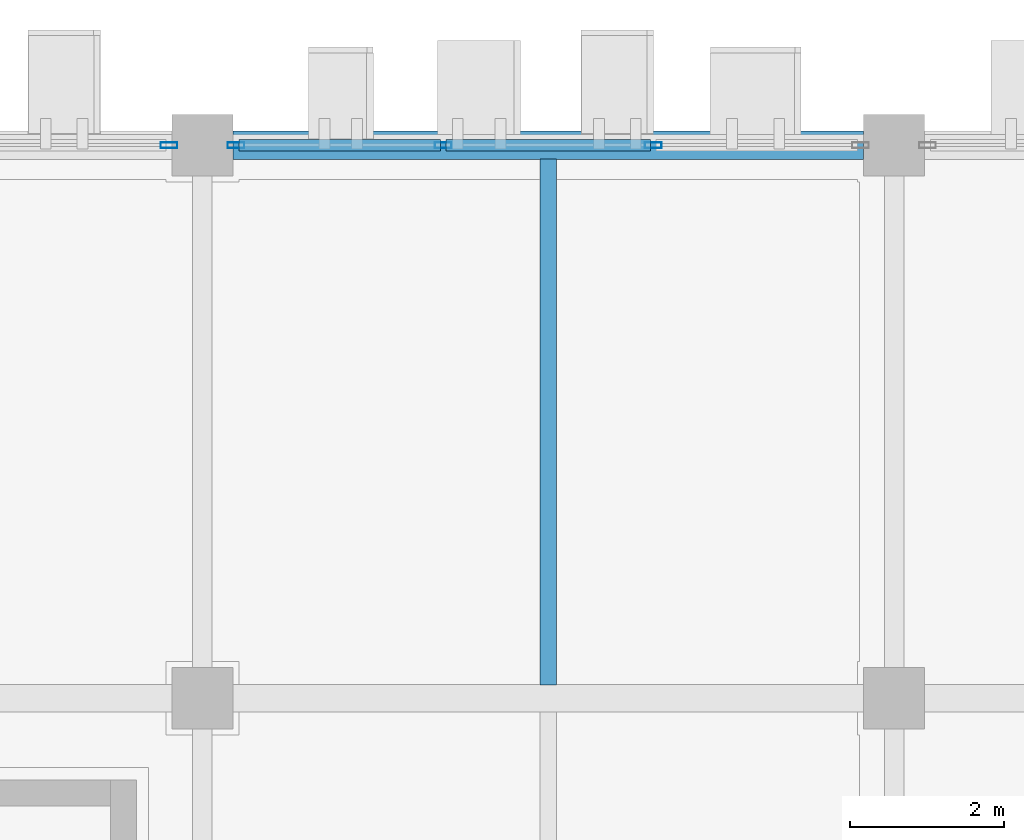
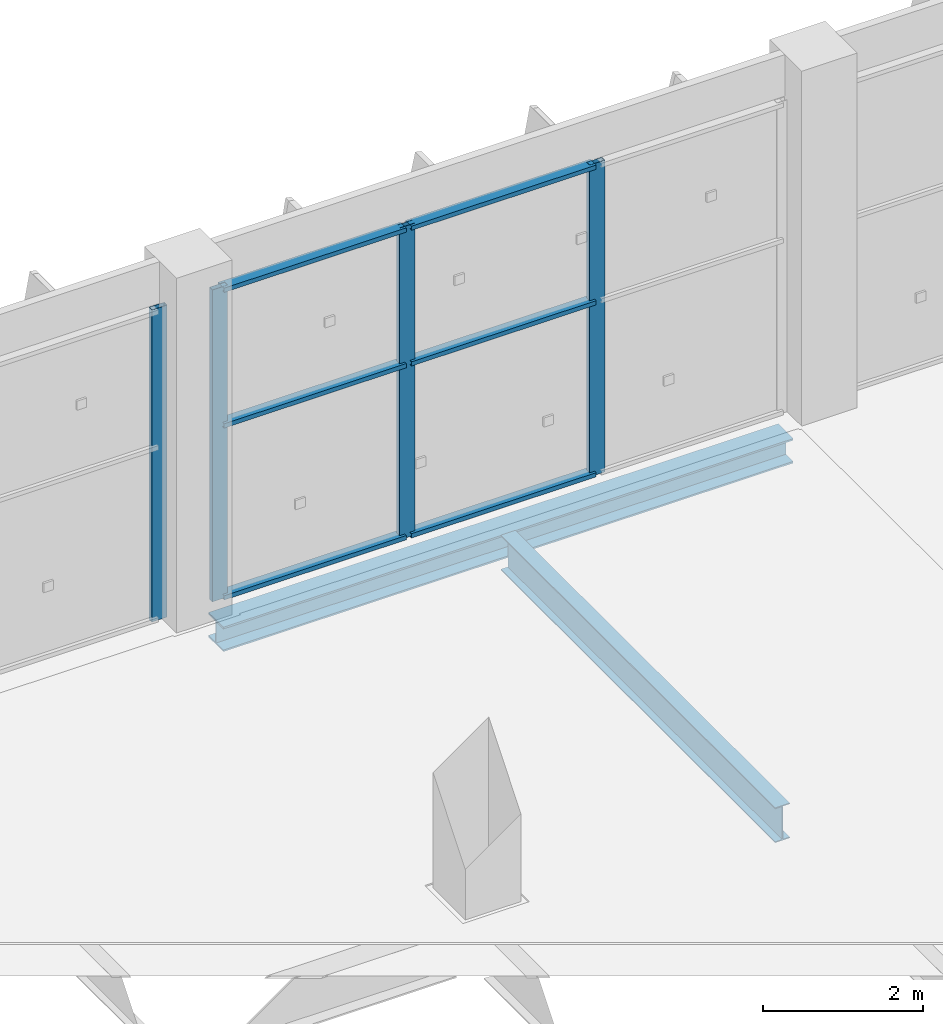
# One storey, part 38 of 137: 10 members, 2 beams, 2 elements without a shape of their own.
"""IFC4 building model written with IfcOpenShell, lengths in metres."""

from ifc_helpers import new_model, si_unit, direction, frame, origin, origin_2d, place, context, subcontext, project, spatial, hollow_rectangle, i_section, extrude, material, layer, layer_set, material_profile, profile_set, type_object, element, aggregate, save


model = new_model("IFC4")

# Units and contexts
model_context = context("Model", 3, precision=1e-05, world=origin(), true_north=direction((0.0, 1.0)))
body_context = subcontext(model_context, "Body", "Model", "MODEL_VIEW")
ifc_project = project(units=[si_unit("LENGTHUNIT", "METRE"), si_unit("AREAUNIT", "SQUARE_METRE"), si_unit("VOLUMEUNIT", "CUBIC_METRE"), si_unit("PLANEANGLEUNIT", "RADIAN"), si_unit("MASSUNIT", "GRAM", prefix="KILO")], contexts=[model_context])

# Site, building, storey
site_placement = place(None, origin())
site = spatial("IfcSite", under=ifc_project, at=site_placement, CompositionType="ELEMENT")
building_placement = place(site_placement, origin())
building = spatial("IfcBuilding", under=site, at=building_placement, Name="Celestram Park Convention Centre", CompositionType="ELEMENT")
storey_placement = place(building_placement, origin())
storey = spatial("IfcBuildingStorey", under=building, at=storey_placement, Name="L00", CompositionType="ELEMENT", Elevation=0.0)

# Curtain wall, member
ifc_material_1 = material(Name="Anodised Aluminium Alloy 6063-T6", Category="aluminium")
ifc_layer = layer(ifc_material_1, 0.179931640625)
ifc_layer_set = layer_set([ifc_layer], Name="Anodised Aluminium Alloy 6063-T6")
curtain_wall_type = type_object("IfcCurtainWallType", Name="ARC-CW-820X475", PredefinedType="NOTDEFINED", material=ifc_layer_set)
curtain_wall_1_placement = place(storey_placement, origin())
curtain_wall_1 = element("IfcCurtainWall", 1, at=curtain_wall_1_placement, inside=storey, type_object=curtain_wall_type, Name="Unitised curtain wall CU-L00-018", PredefinedType="NOTDEFINED")
ifc_material_profile_1 = material_profile(ifc_material_1, hollow_rectangle(XDim=0.074951171875, YDim=0.219970703125, WallThickness=0.00390625, at=origin_2d()), Name="ALU75X220X4")
ifc_profile_set_1 = profile_set([ifc_material_profile_1], Name="Anodised Aluminium Alloy 6063-T6")
member_type_1 = type_object("IfcMemberType", Name="ARC-CWM-180", PredefinedType="MULLION", material=ifc_profile_set_1)
member_1_placement = place(storey_placement, frame((152.564453125, 36.0, 0.0), z_axis=(0.0, 0.0, 1.0), x_axis=(0.0, 1.0, 0.0)))
member_1 = element("IfcMember", 2, at=member_1_placement, type_object=member_type_1, Name="CW-82X47 mullion 4", PredefinedType="MULLION", context=body_context, shape_type="SweptSolid", body=[
    extrude(hollow_rectangle(XDim=0.074951171875, YDim=0.219970703125, WallThickness=0.00390625, at=origin_2d()), origin(), (0.0, 0.0, 1.0), 4.7470703125),
])
aggregate(curtain_wall_1, [member_1])

# Curtain wall, members
curtain_wall_2_placement = place(storey_placement, origin())
curtain_wall_2 = element("IfcCurtainWall", 3, at=curtain_wall_2_placement, inside=storey, type_object=curtain_wall_type, Name="Unitised curtain wall CU-L00-019", PredefinedType="NOTDEFINED")
member_2_placement = place(storey_placement, frame((153.435546875, 36.0, 0.0), z_axis=(0.0, 0.0, 1.0), x_axis=(0.0, 1.0, 0.0)))
member_2 = element("IfcMember", 4, at=member_2_placement, type_object=member_type_1, Name="CW-82X47 mullion 1", PredefinedType="MULLION", context=body_context, shape_type="SweptSolid", body=[
    extrude(hollow_rectangle(XDim=0.074951171875, YDim=0.219970703125, WallThickness=0.00390625, at=origin_2d()), origin(), (0.0, 0.0, 1.0), 4.7470703125),
])
member_3_placement = place(storey_placement, frame((156.132568359375, 36.0, 0.0), z_axis=(0.0, 0.0, 1.0), x_axis=(0.0, 1.0, 0.0)))
member_3 = element("IfcMember", 5, at=member_3_placement, type_object=member_type_1, Name="CW-82X47 mullion 2", PredefinedType="MULLION", context=body_context, shape_type="SweptSolid", body=[
    extrude(hollow_rectangle(XDim=0.074951171875, YDim=0.219970703125, WallThickness=0.00390625, at=origin_2d()), origin(), (0.0, 0.0, 1.0), 4.7470703125),
])
member_4_placement = place(storey_placement, frame((158.867431640625, 36.0, 0.0), z_axis=(0.0, 0.0, 1.0), x_axis=(0.0, 1.0, 0.0)))
member_4 = element("IfcMember", 6, at=member_4_placement, type_object=member_type_1, Name="CW-82X47 mullion 3", PredefinedType="MULLION", context=body_context, shape_type="SweptSolid", body=[
    extrude(hollow_rectangle(XDim=0.074951171875, YDim=0.219970703125, WallThickness=0.00390625, at=origin_2d()), origin(), (0.0, 0.0, 1.0), 4.7470703125),
])
ifc_material_profile_2 = material_profile(ifc_material_1, hollow_rectangle(XDim=0.14990234375, YDim=0.06494140625, WallThickness=0.0029296875, at=origin_2d()), Name="ALU150X65X3")
ifc_profile_set_2 = profile_set([ifc_material_profile_2], Name="Anodised Aluminium Alloy 6063-T6")
member_type_2 = type_object("IfcMemberType", Name="ARC-CWT-150", PredefinedType="USERDEFINED", material=ifc_profile_set_2)
member_5_placement = place(storey_placement, frame((153.472900390625, 36.0, 0.032470703125), z_axis=(1.0, 0.0, 0.0), x_axis=(0.0, 1.0, 0.0)))
member_5 = element("IfcMember", 7, at=member_5_placement, type_object=member_type_2, Name="CW-82X47 transom 1.1", ObjectType="TRANSOM", PredefinedType="USERDEFINED", context=body_context, shape_type="SweptSolid", body=[
    extrude(hollow_rectangle(XDim=0.14990234375, YDim=0.06494140625, WallThickness=0.0029296875, at=origin_2d()), origin(), (0.0, 0.0, 1.0), 2.622314453125),
])
member_6_placement = place(storey_placement, frame((153.472900390625, 36.0, 2.64990234375), z_axis=(1.0, 0.0, 0.0), x_axis=(0.0, 1.0, 0.0)))
member_6 = element("IfcMember", 8, at=member_6_placement, type_object=member_type_2, Name="CW-82X47 transom 1.2", ObjectType="TRANSOM", PredefinedType="USERDEFINED", context=body_context, shape_type="SweptSolid", body=[
    extrude(hollow_rectangle(XDim=0.14990234375, YDim=0.06494140625, WallThickness=0.0029296875, at=origin_2d()), origin(), (0.0, 0.0, 1.0), 2.622314453125),
])
member_7_placement = place(storey_placement, frame((153.472900390625, 36.0, 4.714599609375), z_axis=(1.0, 0.0, 0.0), x_axis=(0.0, 1.0, 0.0)))
member_7 = element("IfcMember", 9, at=member_7_placement, type_object=member_type_2, Name="CW-82X47 transom 1.3", ObjectType="TRANSOM", PredefinedType="USERDEFINED", context=body_context, shape_type="SweptSolid", body=[
    extrude(hollow_rectangle(XDim=0.14990234375, YDim=0.06494140625, WallThickness=0.0029296875, at=origin_2d()), origin(), (0.0, 0.0, 1.0), 2.622314453125),
])
member_8_placement = place(storey_placement, frame((156.170166015625, 36.0, 0.032470703125), z_axis=(1.0, 0.0, 0.0), x_axis=(0.0, 1.0, 0.0)))
member_8 = element("IfcMember", 10, at=member_8_placement, type_object=member_type_2, Name="CW-82X47 transom 2.1", ObjectType="TRANSOM", PredefinedType="USERDEFINED", context=body_context, shape_type="SweptSolid", body=[
    extrude(hollow_rectangle(XDim=0.14990234375, YDim=0.06494140625, WallThickness=0.0029296875, at=origin_2d()), origin(), (0.0, 0.0, 1.0), 2.65966796875),
])
member_9_placement = place(storey_placement, frame((156.170166015625, 36.0, 2.64990234375), z_axis=(1.0, 0.0, 0.0), x_axis=(0.0, 1.0, 0.0)))
member_9 = element("IfcMember", 11, at=member_9_placement, type_object=member_type_2, Name="CW-82X47 transom 2.2", ObjectType="TRANSOM", PredefinedType="USERDEFINED", context=body_context, shape_type="SweptSolid", body=[
    extrude(hollow_rectangle(XDim=0.14990234375, YDim=0.06494140625, WallThickness=0.0029296875, at=origin_2d()), origin(), (0.0, 0.0, 1.0), 2.65966796875),
])
member_10_placement = place(storey_placement, frame((156.170166015625, 36.0, 4.714599609375), z_axis=(1.0, 0.0, 0.0), x_axis=(0.0, 1.0, 0.0)))
member_10 = element("IfcMember", 12, at=member_10_placement, type_object=member_type_2, Name="CW-82X47 transom 2.3", ObjectType="TRANSOM", PredefinedType="USERDEFINED", context=body_context, shape_type="SweptSolid", body=[
    extrude(hollow_rectangle(XDim=0.14990234375, YDim=0.06494140625, WallThickness=0.0029296875, at=origin_2d()), origin(), (0.0, 0.0, 1.0), 2.65966796875),
])
aggregate(curtain_wall_2, [member_2, member_3, member_4, member_5, member_6, member_7, member_8, member_9, member_10])

# Beams
ifc_material_2 = material(Name="Steel ASTM A992 Grade 50", Category="steel")
ifc_material_profile_3 = material_profile(ifc_material_2, i_section(OverallWidth=0.2099609375, OverallDepth=0.532958984375, WebThickness=0.01025390625, FlangeThickness=0.015625, at=origin_2d()), Name="W21X62")
ifc_profile_set_3 = profile_set([ifc_material_profile_3], Name="Steel ASTM A992 Grade 50")
beam_type_1 = type_object("IfcBeamType", Name="STR-JST-W21X62", PredefinedType="JOIST", material=ifc_profile_set_3)
beam_1_placement = place(storey_placement, frame((157.5, 28.97412109375, -0.58642578125), z_axis=(0.0, 1.0, 0.0), x_axis=(-1.0, 0.0, 0.0)))
element("IfcBeam", 13, at=beam_1_placement, inside=storey, type_object=beam_type_1, Name="Secondary composite joist BG-L00-1176", PredefinedType="JOIST", context=body_context, shape_type="SweptSolid", body=[
    extrude(i_section(OverallWidth=0.2099609375, OverallDepth=0.532958984375, WebThickness=0.01025390625, FlangeThickness=0.015625, at=origin_2d()), origin(), (0.0, 0.0, 1.0), 6.843994140625),
])
ifc_material_profile_4 = material_profile(ifc_material_2, i_section(OverallWidth=0.373046875, OverallDepth=0.373046875, WebThickness=0.016357421875, FlangeThickness=0.026123046875, at=origin_2d()), Name="W14X132")
ifc_profile_set_4 = profile_set([ifc_material_profile_4], Name="Steel ASTM A992 Grade 50")
beam_type_2 = type_object("IfcBeamType", Name="STR-SPN-W14X132", PredefinedType="SPANDREL", material=ifc_profile_set_4)
beam_2_placement = place(storey_placement, frame((153.39794921875, 36.0, -0.506591796875), z_axis=(1.0, 0.0, 0.0), x_axis=(0.0, 1.0, 0.0)))
element("IfcBeam", 14, at=beam_2_placement, inside=storey, type_object=beam_type_2, Name="Primary X-girder BG-L00-0701", PredefinedType="SPANDREL", context=body_context, shape_type="SweptSolid", body=[
    extrude(i_section(OverallWidth=0.373046875, OverallDepth=0.373046875, WebThickness=0.016357421875, FlangeThickness=0.026123046875, at=origin_2d()), origin(), (0.0, 0.0, 1.0), 8.2041015625),
])

save(model, "model.ifc")
